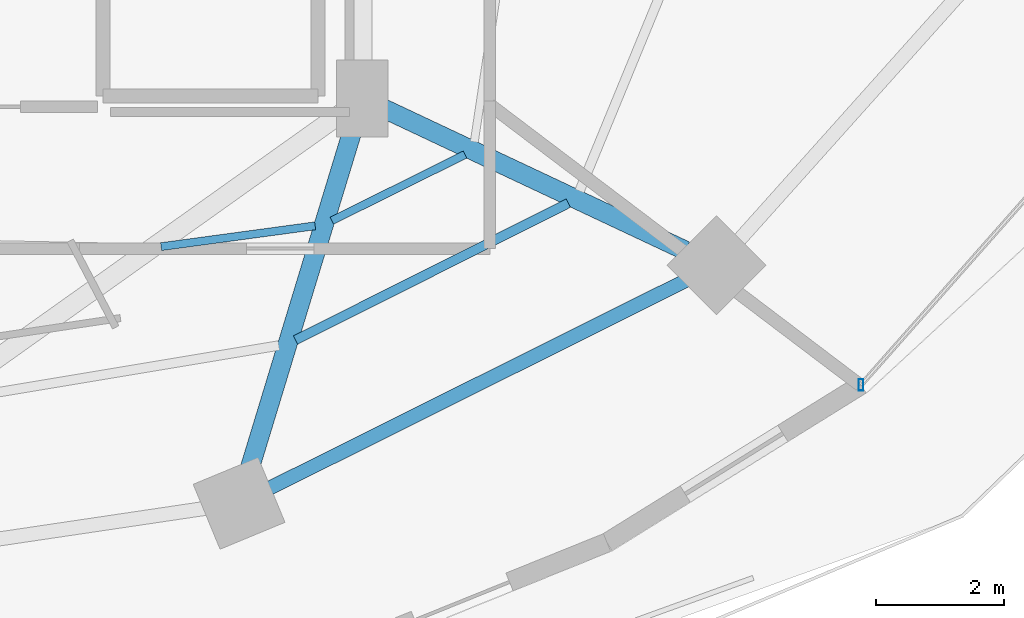
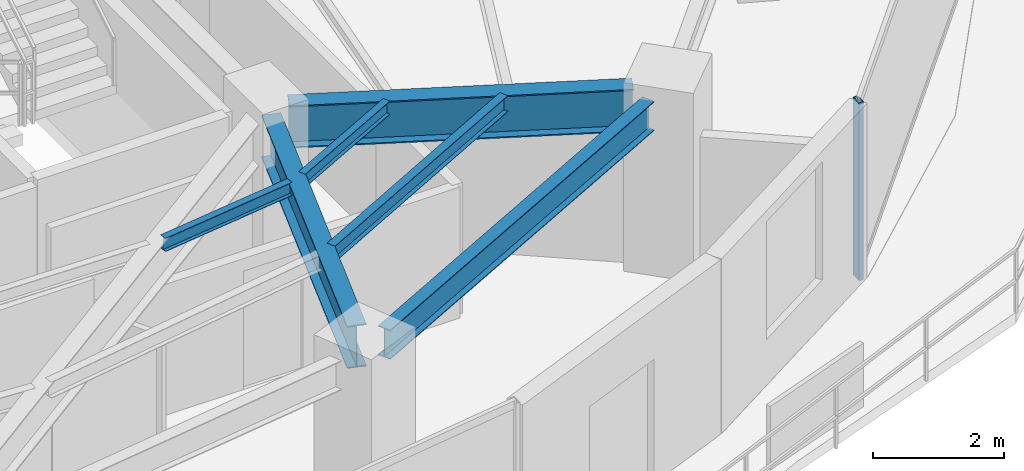
# One storey, part 11 of 30: 6 beams, 1 member, 1 element without a shape of its own.
"""IFC4 building model written with IfcOpenShell, lengths in metres."""

from ifc_helpers import new_model, si_unit, direction, frame, origin, origin_2d, place, context, subcontext, project, spatial, hollow_rectangle, i_section, extrude, material, material_profile, profile_set, type_object, element, aggregate, save


model = new_model("IFC4")

# Units and contexts
model_context = context("Model", 3, precision=1e-05, world=origin(), true_north=direction((0.0, 1.0)))
body_context = subcontext(model_context, "Body", "Model", "MODEL_VIEW")
ifc_project = project(units=[si_unit("LENGTHUNIT", "METRE"), si_unit("AREAUNIT", "SQUARE_METRE"), si_unit("VOLUMEUNIT", "CUBIC_METRE"), si_unit("PLANEANGLEUNIT", "RADIAN"), si_unit("MASSUNIT", "GRAM", prefix="KILO")], contexts=[model_context])

# Site, building, storey
site_placement = place(None, origin())
site = spatial("IfcSite", under=ifc_project, at=site_placement, CompositionType="ELEMENT")
building_placement = place(site_placement, origin())
building = spatial("IfcBuilding", under=site, at=building_placement, Name="Vorneva Point Tower", CompositionType="ELEMENT")
storey_placement = place(building_placement, frame((0.0, 0.0, 92.800048828125)))
storey = spatial("IfcBuildingStorey", under=building, at=storey_placement, Name="L24", CompositionType="ELEMENT", Elevation=92.800048828125)

# Beams
ifc_material_1 = material(Name="Steel S355", Category="steel")
ifc_material_profile_1 = material_profile(ifc_material_1, i_section(OverallWidth=0.300048828125, OverallDepth=0.7880859375, WebThickness=0.014404296875, FlangeThickness=0.02197265625, at=origin_2d()), Name="80Sh1")
ifc_profile_set_1 = profile_set([ifc_material_profile_1], Name="Steel S355")
beam_type_1 = type_object("IfcBeamType", Name="BM-GRD-80Sh1", PredefinedType="USERDEFINED", material=ifc_profile_set_1)
beam_1_placement = place(storey_placement, frame((46.9775390625, 10.6240234375, 2.845947265625), z_axis=(0.291034888253, 0.956712440506, 0.0), x_axis=(-0.956712440506, 0.291034888253, 0.0)))
element("IfcBeam", 1, at=beam_1_placement, inside=storey, type_object=beam_type_1, Name="L24 Radial Primary Girder 14", ObjectType="GIRDER", PredefinedType="USERDEFINED", context=body_context, shape_type="SweptSolid", body=[
    extrude(i_section(OverallWidth=0.300048828125, OverallDepth=0.7880859375, WebThickness=0.014404296875, FlangeThickness=0.02197265625, at=origin_2d()), origin(), (0.0, 0.0, 1.0), 5.74951171875),
])
beam_2_placement = place(storey_placement, frame((53.81201171875, 14.06689453125, 2.845947265625), z_axis=(-0.904751304927, 0.425940226126, 0.0), x_axis=(-0.425940226126, -0.904751304927, 0.0)))
element("IfcBeam", 2, at=beam_2_placement, inside=storey, type_object=beam_type_1, Name="L24 Radial Primary Girder 15", ObjectType="GIRDER", PredefinedType="USERDEFINED", context=body_context, shape_type="SweptSolid", body=[
    extrude(i_section(OverallWidth=0.300048828125, OverallDepth=0.7880859375, WebThickness=0.014404296875, FlangeThickness=0.02197265625, at=origin_2d()), origin(), (0.0, 0.0, 1.0), 5.2548828125),
])
ifc_material_profile_2 = material_profile(ifc_material_1, i_section(OverallWidth=0.1240234375, OverallDepth=0.248046875, WebThickness=0.0048828125, FlangeThickness=0.008056640625, at=origin_2d()), Name="25B1")
ifc_profile_set_2 = profile_set([ifc_material_profile_2], Name="Steel S355")
beam_type_2 = type_object("IfcBeamType", Name="BM-JST-25B1", PredefinedType="JOIST", material=ifc_profile_set_2)
beam_3_placement = place(storey_placement, frame((45.599365234375, 14.129150390625, 3.115966796875), z_axis=(0.990946337879, 0.134258539555, 0.0), x_axis=(-0.134258539555, 0.990946337879, 0.0)))
element("IfcBeam", 3, at=beam_3_placement, inside=storey, type_object=beam_type_2, Name="L24 Secondary Floor Beam 2.13", PredefinedType="JOIST", context=body_context, shape_type="SweptSolid", body=[
    extrude(i_section(OverallWidth=0.1240234375, OverallDepth=0.248046875, WebThickness=0.0048828125, FlangeThickness=0.008056640625, at=origin_2d()), origin(), (0.0, 0.0, 1.0), 2.434814453125),
])
beam_4_placement = place(storey_placement, frame((48.272705078125, 14.535888671875, 3.115966796875), z_axis=(0.89565974577, 0.444739946268, 0.0), x_axis=(-0.444739946268, 0.89565974577, 0.0)))
element("IfcBeam", 4, at=beam_4_placement, inside=storey, type_object=beam_type_2, Name="L24 Secondary Floor Beam 2.14", PredefinedType="JOIST", context=body_context, shape_type="SweptSolid", body=[
    extrude(i_section(OverallWidth=0.1240234375, OverallDepth=0.248046875, WebThickness=0.0048828125, FlangeThickness=0.008056640625, at=origin_2d()), origin(), (0.0, 0.0, 1.0), 2.330810546875),
])
ifc_material_profile_3 = material_profile(ifc_material_1, i_section(OverallWidth=0.14892578125, OverallDepth=0.298095703125, WebThickness=0.005615234375, FlangeThickness=0.008056640625, at=origin_2d()), Name="30B1")
ifc_profile_set_3 = profile_set([ifc_material_profile_3], Name="Steel S355")
beam_type_3 = type_object("IfcBeamType", Name="BM-JST-30B1", PredefinedType="JOIST", material=ifc_profile_set_3)
beam_5_placement = place(storey_placement, frame((47.703369140625, 12.666015625, 3.091064453125), z_axis=(0.89376245769, 0.448540599304, 0.0), x_axis=(-0.448540599304, 0.89376245769, 0.0)))
element("IfcBeam", 5, at=beam_5_placement, inside=storey, type_object=beam_type_3, Name="L24 Secondary Floor Beam 1.14", PredefinedType="JOIST", context=body_context, shape_type="SweptSolid", body=[
    extrude(i_section(OverallWidth=0.14892578125, OverallDepth=0.298095703125, WebThickness=0.005615234375, FlangeThickness=0.008056640625, at=origin_2d()), origin(), (0.0, 0.0, 1.0), 4.78173828125),
])
ifc_material_profile_4 = material_profile(ifc_material_1, i_section(OverallWidth=0.219970703125, OverallDepth=0.54296875, WebThickness=0.009521484375, FlangeThickness=0.013427734375, at=origin_2d()), Name="55B1")
ifc_profile_set_4 = profile_set([ifc_material_profile_4], Name="Steel S355")
beam_type_4 = type_object("IfcBeamType", Name="BM-SPN-55B1", PredefinedType="SPANDREL", material=ifc_profile_set_4)
beam_6_placement = place(storey_placement, frame((47.2998046875, 10.347900390625, 2.968505859375), z_axis=(0.894915882304, 0.446234874926, 0.0), x_axis=(-0.446234874926, 0.894915882304, 0.0)))
element("IfcBeam", 6, at=beam_6_placement, inside=storey, type_object=beam_type_4, Name="L24 Perimeter Spandrel Ring Beam 14", PredefinedType="SPANDREL", context=body_context, shape_type="SweptSolid", body=[
    extrude(i_section(OverallWidth=0.219970703125, OverallDepth=0.54296875, WebThickness=0.009521484375, FlangeThickness=0.013427734375, at=origin_2d()), origin(), (0.0, 0.0, 1.0), 7.285888671875),
])

# Curtain wall, member
ifc_material_2 = material(Name="Pale anodised aluminium", Category="aluminium")
curtain_wall_type = type_object("IfcCurtainWallType", Name="CW-HTL-SYS", PredefinedType="NOTDEFINED", material=ifc_material_2)
curtain_wall_placement = place(storey_placement, origin())
curtain_wall = element("IfcCurtainWall", 7, at=curtain_wall_placement, inside=storey, type_object=curtain_wall_type, Name="L24 Unitised Curtain Wall CW-L24-R01", PredefinedType="NOTDEFINED")
ifc_material_profile_5 = material_profile(ifc_material_2, hollow_rectangle(XDim=0.074951171875, YDim=0.179931640625, WallThickness=0.00390625, at=origin_2d()), Name="AL-MUL 180x75x4")
ifc_profile_set_5 = profile_set([ifc_material_profile_5], Name="Pale anodised aluminium")
member_type = type_object("IfcMemberType", Name="CW-MUL-180", PredefinedType="MULLION", material=ifc_profile_set_5)
member_placement = place(storey_placement, frame((56.5615234375, 11.9638671875, -0.0400390625), z_axis=(0.0, 0.0, 1.0), x_axis=(1.0, 0.0, 0.0)))
member = element("IfcMember", 8, at=member_placement, type_object=member_type, Name="CW-L24-R01 Mullion 01", PredefinedType="MULLION", context=body_context, shape_type="SweptSolid", body=[
    extrude(hollow_rectangle(XDim=0.074951171875, YDim=0.179931640625, WallThickness=0.00390625, at=origin_2d()), origin(), (0.0, 0.0, 1.0), 3.31005859375),
])
aggregate(curtain_wall, [member])

save(model, "model.ifc")
